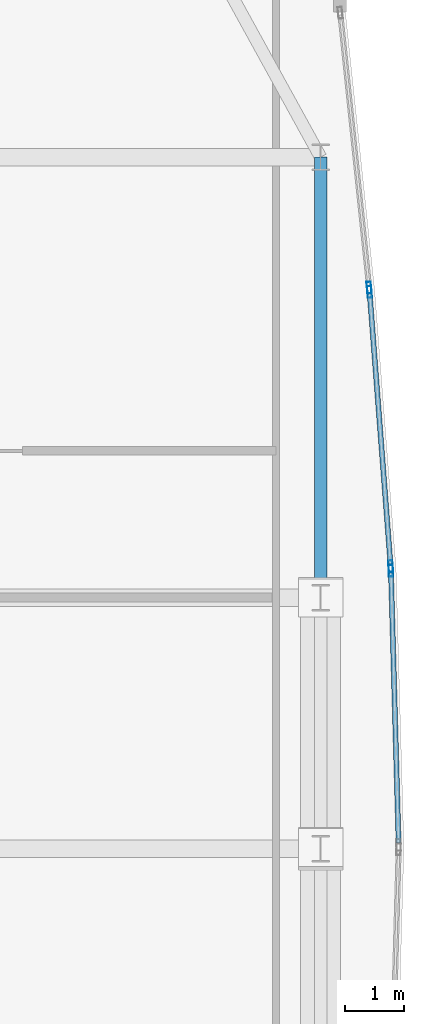
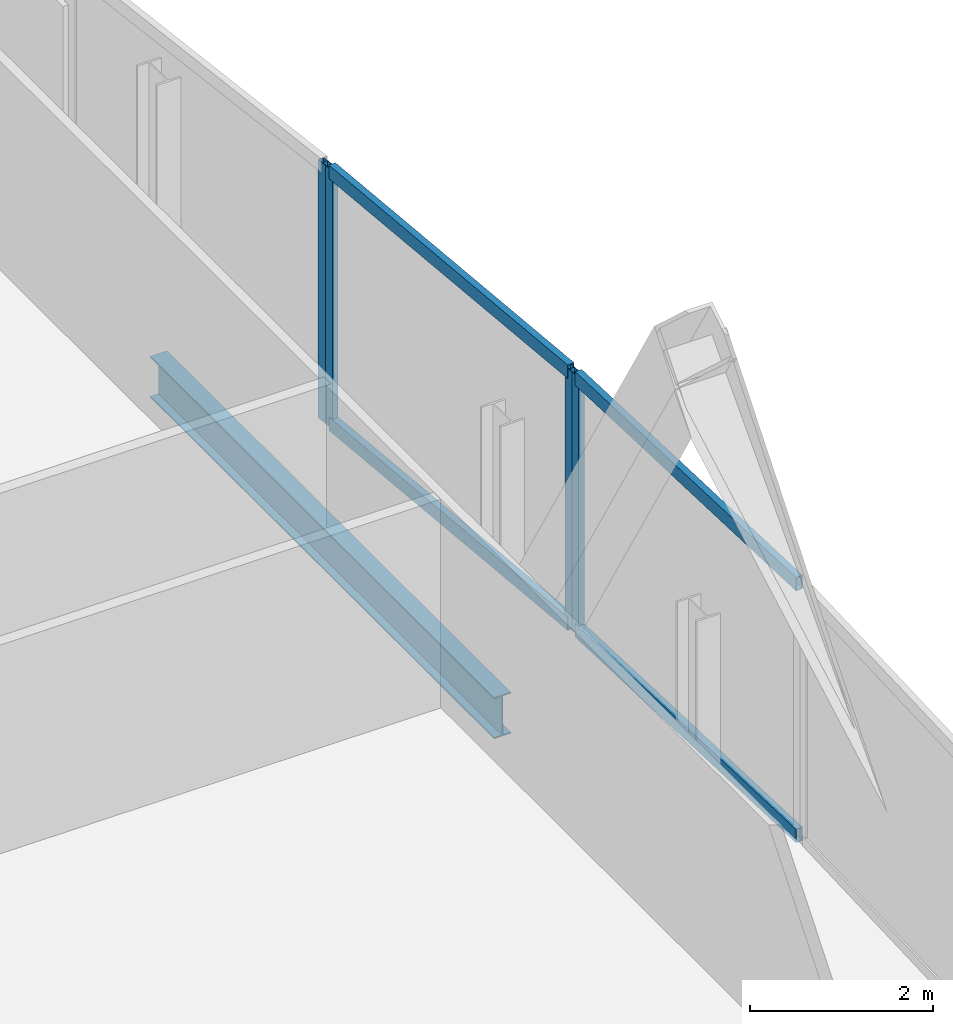
# One storey, part 19 of 30: 8 members, 1 beam, 3 elements without a shape of their own.
"""IFC4 building model written with IfcOpenShell, lengths in metres."""

from ifc_helpers import new_model, si_unit, direction, frame, origin, origin_2d, place, context, subcontext, project, spatial, hollow_rectangle, i_section, extrude, material, material_profile, profile_set, type_object, element, aggregate, save


model = new_model("IFC4")

# Units and contexts
model_context = context("Model", 3, precision=1e-05, world=origin(), true_north=direction((0.0, 1.0)))
body_context = subcontext(model_context, "Body", "Model", "MODEL_VIEW")
ifc_project = project(units=[si_unit("LENGTHUNIT", "METRE"), si_unit("AREAUNIT", "SQUARE_METRE"), si_unit("VOLUMEUNIT", "CUBIC_METRE"), si_unit("PLANEANGLEUNIT", "RADIAN"), si_unit("MASSUNIT", "GRAM", prefix="KILO")], contexts=[model_context])

# Site, building, storey
site_placement = place(None, origin())
site = spatial("IfcSite", under=ifc_project, at=site_placement, CompositionType="ELEMENT")
building_placement = place(site_placement, origin())
building = spatial("IfcBuilding", under=site, at=building_placement, Name="Khoronbel Lancet Exchange", CompositionType="ELEMENT")
storey_placement = place(building_placement, frame((0.0, 0.0, 284.199951171875)))
storey = spatial("IfcBuildingStorey", under=building, at=storey_placement, Name="L73", CompositionType="ELEMENT", Elevation=284.199951171875)

# Beam
ifc_material_1 = material(Name="Steel S355", Category="steel")
ifc_material_profile_1 = material_profile(ifc_material_1, i_section(OverallWidth=0.2099609375, OverallDepth=0.550048828125, WebThickness=0.010986328125, FlangeThickness=0.01708984375, at=origin_2d()), Name="IPE 550")
ifc_profile_set_1 = profile_set([ifc_material_profile_1], Name="Steel S355")
beam_type = type_object("IfcBeamType", Name="BM-BSP3", PredefinedType="SPANDREL", material=ifc_profile_set_1)
beam_placement = place(storey_placement, frame((63.6298828125, 35.699951171875, -0.43505859375), z_axis=(0.0, 1.0, 0.0), x_axis=(-1.0, 0.0, 0.0)))
element("IfcBeam", 1, at=beam_placement, inside=storey, type_object=beam_type, Name="Level L73 perimeter spandrel beam SP14", PredefinedType="SPANDREL", context=body_context, shape_type="SweptSolid", body=[
    extrude(i_section(OverallWidth=0.2099609375, OverallDepth=0.550048828125, WebThickness=0.010986328125, FlangeThickness=0.01708984375, at=origin_2d()), origin(), (0.0, 0.0, 1.0), 7.5),
])

# Curtain wall, member
ifc_material_2 = material(Name="Low-E Solar Control Insulating Glass", Category="glass")
curtain_wall_type = type_object("IfcCurtainWallType", Name="CW-4", PredefinedType="NOTDEFINED", material=ifc_material_2)
curtain_wall_1_placement = place(storey_placement, origin())
curtain_wall_1 = element("IfcCurtainWall", 2, at=curtain_wall_1_placement, inside=storey, type_object=curtain_wall_type, Name="Unitised curtain wall CW-L73-E17", PredefinedType="NOTDEFINED")
ifc_material_3 = material(Name="Bronze-Anodised Aluminium 6063-T6", Category="aluminium")
ifc_material_profile_2 = material_profile(ifc_material_3, hollow_rectangle(XDim=0.074951171875, YDim=0.199951171875, WallThickness=0.0048828125, at=origin_2d()), Name="ALU MULLION 75x200")
ifc_profile_set_2 = profile_set([ifc_material_profile_2], Name="Bronze-Anodised Aluminium 6063-T6")
member_type_1 = type_object("IfcMemberType", Name="MEM-CWM2", PredefinedType="MULLION", material=ifc_profile_set_2)
member_1_placement = place(storey_placement, frame((64.45654296875, 40.97900390625, 0.0), z_axis=(0.0, 0.0, 1.0), x_axis=(0.994504765069, 0.104691318907, 0.0)))
member_1 = element("IfcMember", 3, at=member_1_placement, type_object=member_type_1, Name="CW4 mullion 2", PredefinedType="MULLION", context=body_context, shape_type="SweptSolid", body=[
    extrude(hollow_rectangle(XDim=0.074951171875, YDim=0.199951171875, WallThickness=0.0048828125, at=origin_2d()), origin(), (0.0, 0.0, 1.0), 3.43994140625),
])
aggregate(curtain_wall_1, [member_1])

# Curtain wall, members
curtain_wall_2_placement = place(storey_placement, origin())
curtain_wall_2 = element("IfcCurtainWall", 4, at=curtain_wall_2_placement, inside=storey, type_object=curtain_wall_type, Name="Unitised curtain wall CW-L73-E18", PredefinedType="NOTDEFINED")
member_2_placement = place(storey_placement, frame((64.46337890625, 40.904296875, 0.0), z_axis=(0.0, 0.0, 1.0), x_axis=(0.997045087155, 0.076818579658, 0.0)))
member_2 = element("IfcMember", 5, at=member_2_placement, type_object=member_type_1, Name="CW4 mullion 1", PredefinedType="MULLION", context=body_context, shape_type="SweptSolid", body=[
    extrude(hollow_rectangle(XDim=0.074951171875, YDim=0.199951171875, WallThickness=0.0048828125, at=origin_2d()), origin(), (0.0, 0.0, 1.0), 3.43994140625),
])
member_3_placement = place(storey_placement, frame((64.8232421875, 36.232666015625, 0.0), z_axis=(0.0, 0.0, 1.0), x_axis=(0.997045087155, 0.076818579658, 0.0)))
member_3 = element("IfcMember", 6, at=member_3_placement, type_object=member_type_1, Name="CW4 mullion 2", PredefinedType="MULLION", context=body_context, shape_type="SweptSolid", body=[
    extrude(hollow_rectangle(XDim=0.074951171875, YDim=0.199951171875, WallThickness=0.0048828125, at=origin_2d()), origin(), (0.0, 0.0, 1.0), 3.43994140625),
])

# Curtain wall, member
curtain_wall_3_placement = place(storey_placement, origin())
curtain_wall_3 = element("IfcCurtainWall", 7, at=curtain_wall_3_placement, inside=storey, type_object=curtain_wall_type, Name="Unitised curtain wall CW-L73-E19", PredefinedType="NOTDEFINED")
member_4_placement = place(storey_placement, frame((64.8271484375, 36.15771484375, 0.0), z_axis=(0.0, 0.0, 1.0), x_axis=(0.999602126917, 0.028206167106, 0.0)))
member_4 = element("IfcMember", 8, at=member_4_placement, type_object=member_type_1, Name="CW4 mullion 1", PredefinedType="MULLION", context=body_context, shape_type="SweptSolid", body=[
    extrude(hollow_rectangle(XDim=0.074951171875, YDim=0.199951171875, WallThickness=0.0048828125, at=origin_2d()), origin(), (0.0, 0.0, 1.0), 3.43994140625),
])

# Member
ifc_material_profile_3 = material_profile(ifc_material_3, hollow_rectangle(XDim=0.0849609375, YDim=0.179931640625, WallThickness=0.0048828125, at=origin_2d()), Name="ALU TRANSOM 85x180")
ifc_profile_set_3 = profile_set([ifc_material_profile_3], Name="Bronze-Anodised Aluminium 6063-T6")
member_type_2 = type_object("IfcMemberType", Name="MEM-CWT1", PredefinedType="USERDEFINED", material=ifc_profile_set_3)
member_5_placement = place(storey_placement, frame((64.466064453125, 40.866943359375, 0.04248046875), z_axis=(0.076834174828, -0.997043885483, 0.0), x_axis=(0.997043885483, 0.076834174828, 0.0)))
member_5 = element("IfcMember", 9, at=member_5_placement, type_object=member_type_2, Name="CW4 transom 1.1", ObjectType="TRANSOM", PredefinedType="USERDEFINED", context=body_context, shape_type="SweptSolid", body=[
    extrude(hollow_rectangle(XDim=0.0849609375, YDim=0.179931640625, WallThickness=0.0048828125, at=origin_2d()), origin(), (0.0, 0.0, 1.0), 4.610595703125),
])

member_6_placement = place(storey_placement, frame((64.466064453125, 40.866943359375, 3.3974609375), z_axis=(0.076834174828, -0.997043885483, 0.0), x_axis=(0.997043885483, 0.076834174828, 0.0)))
member_6 = element("IfcMember", 10, at=member_6_placement, type_object=member_type_2, Name="CW4 transom 1.2", ObjectType="TRANSOM", PredefinedType="USERDEFINED", context=body_context, shape_type="SweptSolid", body=[
    extrude(hollow_rectangle(XDim=0.0849609375, YDim=0.179931640625, WallThickness=0.0048828125, at=origin_2d()), origin(), (0.0, 0.0, 1.0), 4.610595703125),
])

aggregate(curtain_wall_2, [member_2, member_3, member_5, member_6])

member_7_placement = place(storey_placement, frame((64.828125, 36.120361328125, 0.04248046875), z_axis=(0.028198950088, -0.999602330536, 0.0), x_axis=(0.999602330536, 0.028198950088, 0.0)))
member_7 = element("IfcMember", 11, at=member_7_placement, type_object=member_type_2, Name="CW4 transom 1.1", ObjectType="TRANSOM", PredefinedType="USERDEFINED", context=body_context, shape_type="SweptSolid", body=[
    extrude(hollow_rectangle(XDim=0.0849609375, YDim=0.179931640625, WallThickness=0.0048828125, at=origin_2d()), origin(), (0.0, 0.0, 1.0), 4.59716796875),
])

member_8_placement = place(storey_placement, frame((64.828125, 36.120361328125, 3.3974609375), z_axis=(0.028198950088, -0.999602330536, 0.0), x_axis=(0.999602330536, 0.028198950088, 0.0)))
member_8 = element("IfcMember", 12, at=member_8_placement, type_object=member_type_2, Name="CW4 transom 1.2", ObjectType="TRANSOM", PredefinedType="USERDEFINED", context=body_context, shape_type="SweptSolid", body=[
    extrude(hollow_rectangle(XDim=0.0849609375, YDim=0.179931640625, WallThickness=0.0048828125, at=origin_2d()), origin(), (0.0, 0.0, 1.0), 4.59716796875),
])

aggregate(curtain_wall_3, [member_4, member_7, member_8])

save(model, "model.ifc")
